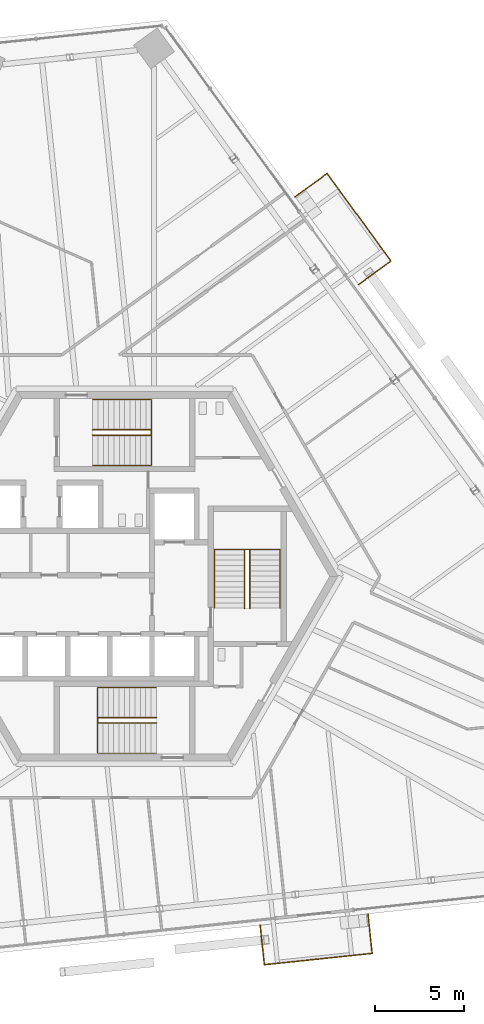
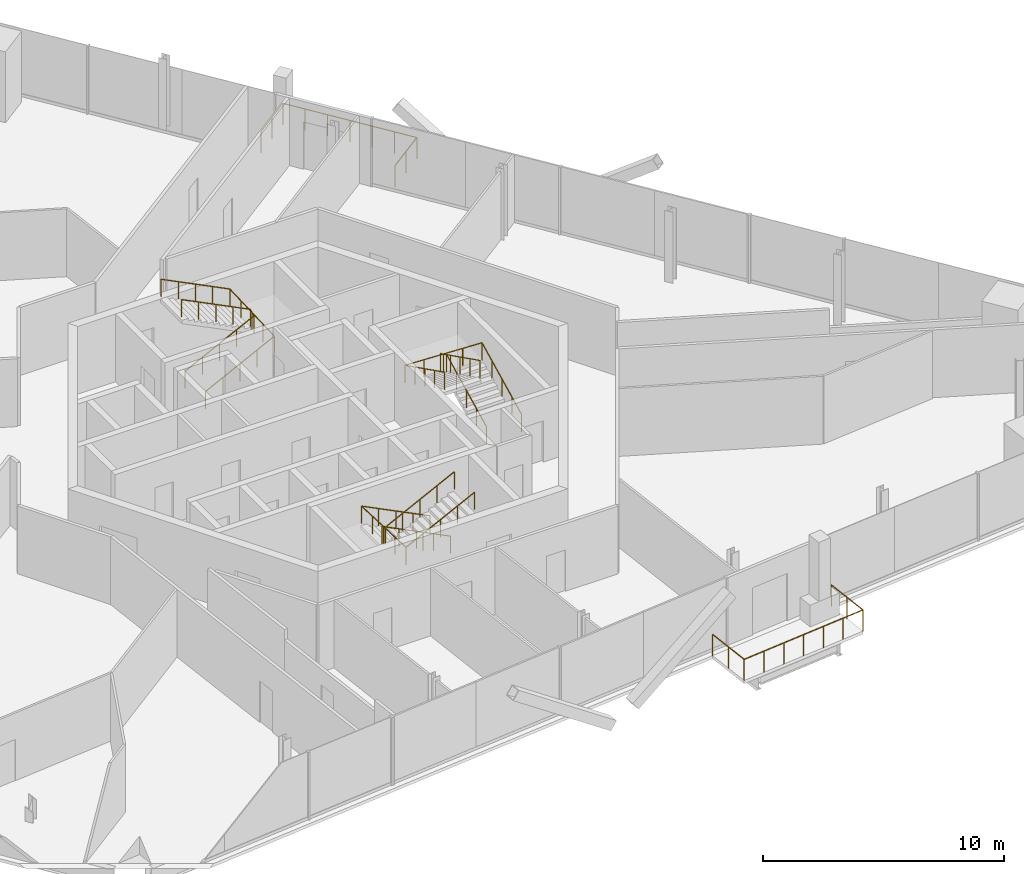
# One storey, part 15 of 18: 8 railings.
"""IFC4 building model written with IfcOpenShell, lengths in metres."""

from ifc_helpers import new_model, si_unit, direction, frame, origin, origin_2d, place, context, subcontext, project, spatial, circle, extrude, source, transform, mapped, material, type_object, element, save


model = new_model("IFC4")

# Units and contexts
model_context = context("Model", 3, precision=1e-05, world=origin(), true_north=direction((0.0, 1.0)))
body_context = subcontext(model_context, "Body", "Model", "MODEL_VIEW")
ifc_project = project(units=[si_unit("LENGTHUNIT", "METRE"), si_unit("AREAUNIT", "SQUARE_METRE"), si_unit("VOLUMEUNIT", "CUBIC_METRE"), si_unit("PLANEANGLEUNIT", "RADIAN"), si_unit("MASSUNIT", "GRAM", prefix="KILO")], contexts=[model_context])

# Site, building, storey
site_placement = place(None, origin())
site = spatial("IfcSite", under=ifc_project, at=site_placement, CompositionType="ELEMENT")
building_placement = place(site_placement, origin())
building = spatial("IfcBuilding", under=site, at=building_placement, Name="Triune Harvest Tower", CompositionType="ELEMENT")
storey_placement = place(building_placement, frame((0.0, 0.0, 237.699951171875)))
storey = spatial("IfcBuildingStorey", under=building, at=storey_placement, Name="L62", CompositionType="ELEMENT", Elevation=237.699951171875)

# Railings
ifc_material_1 = material(Name="Glass", Category="glass")
railing_type_1 = type_object("IfcRailingType", Name="GD-2 balcony guard 1100", PredefinedType="GUARDRAIL", material=ifc_material_1)
railing_1_placement = place(storey_placement, frame((7.625244140625, -19.61376953125, 0.0)))
element("IfcRailing", 1, at=railing_1_placement, inside=storey, type_object=railing_type_1, Name="Balcony guard B6-F5 L62.8", PredefinedType="GUARDRAIL", context=body_context, shape_type="SweptSolid", body=[
    extrude(circle(Radius=0.02392578125, at=origin_2d()), frame((0.0, 0.0, 1.076171875), z_axis=(0.104445921393, -0.994530567406, 0.0), x_axis=(0.994530567406, 0.104445921393, 0.0)), (0.0, 0.0, 1.0), 2.234619140625),
    extrude(circle(Radius=0.02392578125, at=origin_2d()), frame((0.2333984375, -2.222412109375, 1.076171875), z_axis=(0.994519918482, 0.104547270378, 0.0), x_axis=(-0.104547270378, 0.994519918482, 0.0)), (0.0, 0.0, 1.0), 6.099609375),
    extrude(circle(Radius=0.02392578125, at=origin_2d()), frame((6.299560546875, -1.584716796875, 1.076171875), z_axis=(-0.104457271244, 0.994529375375, 0.0), x_axis=(-0.994529375375, -0.104457271244, 0.0)), (0.0, 0.0, 1.0), 2.234375),
    extrude(circle(Radius=0.02099609375, at=origin_2d()), origin(), (0.0, 0.0, 1.0), 1.052001953125),
    extrude(circle(Radius=0.02099609375, at=origin_2d()), frame((0.11669921875, -1.111328125, 0.0)), (0.0, 0.0, 1.0), 1.052001953125),
    extrude(circle(Radius=0.02099609375, at=origin_2d()), frame((0.2333984375, -2.222412109375, 0.0)), (0.0, 0.0, 1.0), 1.052001953125),
    extrude(circle(Radius=0.02099609375, at=origin_2d()), frame((1.244384765625, -2.1162109375, 0.0)), (0.0, 0.0, 1.0), 1.052001953125),
    extrude(circle(Radius=0.02099609375, at=origin_2d()), frame((2.25537109375, -2.009765625, 0.0)), (0.0, 0.0, 1.0), 1.052001953125),
    extrude(circle(Radius=0.02099609375, at=origin_2d()), frame((3.2666015625, -1.903564453125, 0.0)), (0.0, 0.0, 1.0), 1.052001953125),
    extrude(circle(Radius=0.02099609375, at=origin_2d()), frame((4.277587890625, -1.79736328125, 0.0)), (0.0, 0.0, 1.0), 1.052001953125),
    extrude(circle(Radius=0.02099609375, at=origin_2d()), frame((5.28857421875, -1.69091796875, 0.0)), (0.0, 0.0, 1.0), 1.052001953125),
    extrude(circle(Radius=0.02099609375, at=origin_2d()), frame((6.299560546875, -1.584716796875, 0.0)), (0.0, 0.0, 1.0), 1.052001953125),
    extrude(circle(Radius=0.02099609375, at=origin_2d()), frame((6.182861328125, -0.4736328125, 0.0)), (0.0, 0.0, 1.0), 1.052001953125),
    extrude(circle(Radius=0.02099609375, at=origin_2d()), frame((6.066162109375, 0.637451171875, 0.0)), (0.0, 0.0, 1.0), 1.052001953125),
])
ifc_material_2 = material(Name="Stainless steel AISI 316", Category="steel")
railing_type_2 = type_object("IfcRailingType", Name="Stair handrail", PredefinedType="HANDRAIL", material=ifc_material_2)
shared_shape_1 = source(origin(), body_context, "Body", "SweptSolid", [
    extrude(circle(Radius=0.02392578125, at=origin_2d()), frame((0.0, 0.0, 0.8759765625), z_axis=(0.894440424912, 0.0, 0.447187126696), x_axis=(0.0, 1.0, 0.0)), (0.0, 0.0, 1.0), 3.689453125),
    extrude(circle(Radius=0.02392578125, at=origin_2d()), frame((3.300048828125, 0.0, 2.52587890625), z_axis=(0.0, 0.999180289278, 0.040481471304), x_axis=(-1.0, 0.0, 0.0)), (0.0, 0.0, 1.0), 3.702880859375),
    extrude(circle(Radius=0.02392578125, at=origin_2d()), frame((3.300048828125, 3.699951171875, 2.67578125), z_axis=(-0.894413956696, 0.0, 0.447240063129), x_axis=(0.0, -1.0, 0.0)), (0.0, 0.0, 1.0), 3.689697265625),
    extrude(circle(Radius=0.02099609375, at=origin_2d()), origin(), (0.0, 0.0, 1.0), 0.851806640625),
    extrude(circle(Radius=0.02099609375, at=origin_2d()), frame((0.824951171875, 0.0, 0.41259765625)), (0.0, 0.0, 1.0), 0.851806640625),
    extrude(circle(Radius=0.02099609375, at=origin_2d()), frame((1.64990234375, 0.0, 0.824951171875)), (0.0, 0.0, 1.0), 0.851806640625),
    extrude(circle(Radius=0.02099609375, at=origin_2d()), frame((2.47509765625, 0.0, 1.2373046875)), (0.0, 0.0, 1.0), 0.851806640625),
    extrude(circle(Radius=0.02099609375, at=origin_2d()), frame((3.300048828125, 0.0, 1.64990234375)), (0.0, 0.0, 1.0), 0.851806640625),
    extrude(circle(Radius=0.02099609375, at=origin_2d()), frame((3.300048828125, 0.925048828125, 1.6875)), (0.0, 0.0, 1.0), 0.851806640625),
    extrude(circle(Radius=0.02099609375, at=origin_2d()), frame((3.300048828125, 1.85009765625, 1.724853515625)), (0.0, 0.0, 1.0), 0.851806640625),
    extrude(circle(Radius=0.02099609375, at=origin_2d()), frame((3.300048828125, 2.77490234375, 1.76220703125)), (0.0, 0.0, 1.0), 0.851806640625),
    extrude(circle(Radius=0.02099609375, at=origin_2d()), frame((3.300048828125, 3.699951171875, 1.7998046875)), (0.0, 0.0, 1.0), 0.851806640625),
    extrude(circle(Radius=0.02099609375, at=origin_2d()), frame((2.47509765625, 3.699951171875, 2.21240234375)), (0.0, 0.0, 1.0), 0.851806640625),
    extrude(circle(Radius=0.02099609375, at=origin_2d()), frame((1.64990234375, 3.699951171875, 2.625)), (0.0, 0.0, 1.0), 0.851806640625),
    extrude(circle(Radius=0.02099609375, at=origin_2d()), frame((0.824951171875, 3.699951171875, 3.037353515625)), (0.0, 0.0, 1.0), 0.851806640625),
    extrude(circle(Radius=0.02099609375, at=origin_2d()), frame((0.0, 3.699951171875, 3.449951171875)), (0.0, 0.0, 1.0), 0.851806640625),
])
railing_2_placement = place(storey_placement, frame((-1.7900390625, 6.239990234375, 0.150146484375)))
element("IfcRailing", 2, at=railing_2_placement, inside=storey, type_object=railing_type_2, Name="Exit stair north wall handrail", PredefinedType="HANDRAIL", context=body_context, shape_type="MappedRepresentation", body=[
    mapped(shared_shape_1, transform((0.0, 0.0, 0.0), scale=1.0)),
])
shared_shape_2 = source(origin(), body_context, "Body", "SweptSolid", [
    extrude(circle(Radius=0.02392578125, at=origin_2d()), frame((0.0, 0.0, 0.8759765625), z_axis=(0.894440424912, 0.0, 0.447187126696), x_axis=(0.0, 1.0, 0.0)), (0.0, 0.0, 1.0), 3.689453125),
    extrude(circle(Radius=0.02392578125, at=origin_2d()), frame((3.300048828125, 0.0, 2.52587890625), z_axis=(0.0, 0.894572720946, 0.446922417137), x_axis=(-1.0, 0.0, 0.0)), (0.0, 0.0, 1.0), 0.33544921875),
    extrude(circle(Radius=0.02392578125, at=origin_2d()), frame((3.300048828125, 0.300048828125, 2.67578125), z_axis=(-0.894413956696, 0.0, 0.447240063129), x_axis=(0.0, -1.0, 0.0)), (0.0, 0.0, 1.0), 3.689697265625),
    extrude(circle(Radius=0.02099609375, at=origin_2d()), origin(), (0.0, 0.0, 1.0), 0.851806640625),
    extrude(circle(Radius=0.02099609375, at=origin_2d()), frame((0.824951171875, 0.0, 0.41259765625)), (0.0, 0.0, 1.0), 0.851806640625),
    extrude(circle(Radius=0.02099609375, at=origin_2d()), frame((1.64990234375, 0.0, 0.824951171875)), (0.0, 0.0, 1.0), 0.851806640625),
    extrude(circle(Radius=0.02099609375, at=origin_2d()), frame((2.47509765625, 0.0, 1.2373046875)), (0.0, 0.0, 1.0), 0.851806640625),
    extrude(circle(Radius=0.02099609375, at=origin_2d()), frame((3.300048828125, 0.0, 1.64990234375)), (0.0, 0.0, 1.0), 0.851806640625),
    extrude(circle(Radius=0.02099609375, at=origin_2d()), frame((3.300048828125, 0.300048828125, 1.7998046875)), (0.0, 0.0, 1.0), 0.851806640625),
    extrude(circle(Radius=0.02099609375, at=origin_2d()), frame((2.47509765625, 0.300048828125, 2.21240234375)), (0.0, 0.0, 1.0), 0.851806640625),
    extrude(circle(Radius=0.02099609375, at=origin_2d()), frame((1.64990234375, 0.300048828125, 2.625)), (0.0, 0.0, 1.0), 0.851806640625),
    extrude(circle(Radius=0.02099609375, at=origin_2d()), frame((0.824951171875, 0.300048828125, 3.037353515625)), (0.0, 0.0, 1.0), 0.851806640625),
    extrude(circle(Radius=0.02099609375, at=origin_2d()), frame((0.0, 0.300048828125, 3.449951171875)), (0.0, 0.0, 1.0), 0.851806640625),
])
railing_3_placement = place(storey_placement, frame((-1.7900390625, 7.93994140625, 0.150146484375)))
element("IfcRailing", 3, at=railing_3_placement, inside=storey, type_object=railing_type_2, Name="Exit stair north centre handrail", PredefinedType="HANDRAIL", context=body_context, shape_type="MappedRepresentation", body=[
    mapped(shared_shape_2, transform((0.0, 0.0, 0.0), scale=1.0)),
])
shared_shape_3 = source(origin(), body_context, "Body", "SweptSolid", [
    extrude(circle(Radius=0.02392578125, at=origin_2d()), frame((0.0, 0.0, 0.8759765625), z_axis=(-0.894440424912, 0.0, 0.447187126696), x_axis=(0.0, -1.0, 0.0)), (0.0, 0.0, 1.0), 3.689453125),
    extrude(circle(Radius=0.02392578125, at=origin_2d()), frame((-3.300048828125, 0.0, 2.52587890625), z_axis=(0.0, -0.999180289278, 0.040481471304), x_axis=(1.0, 0.0, 0.0)), (0.0, 0.0, 1.0), 3.702880859375),
    extrude(circle(Radius=0.02392578125, at=origin_2d()), frame((-3.300048828125, -3.699951171875, 2.67578125), z_axis=(0.894413956696, 0.0, 0.447240063129), x_axis=(0.0, 1.0, 0.0)), (0.0, 0.0, 1.0), 3.689697265625),
    extrude(circle(Radius=0.02099609375, at=origin_2d()), origin(), (0.0, 0.0, 1.0), 0.851806640625),
    extrude(circle(Radius=0.02099609375, at=origin_2d()), frame((-0.824951171875, 0.0, 0.41259765625)), (0.0, 0.0, 1.0), 0.851806640625),
    extrude(circle(Radius=0.02099609375, at=origin_2d()), frame((-1.64990234375, 0.0, 0.824951171875)), (0.0, 0.0, 1.0), 0.851806640625),
    extrude(circle(Radius=0.02099609375, at=origin_2d()), frame((-2.47509765625, 0.0, 1.2373046875)), (0.0, 0.0, 1.0), 0.851806640625),
    extrude(circle(Radius=0.02099609375, at=origin_2d()), frame((-3.300048828125, 0.0, 1.64990234375)), (0.0, 0.0, 1.0), 0.851806640625),
    extrude(circle(Radius=0.02099609375, at=origin_2d()), frame((-3.300048828125, -0.925048828125, 1.6875)), (0.0, 0.0, 1.0), 0.851806640625),
    extrude(circle(Radius=0.02099609375, at=origin_2d()), frame((-3.300048828125, -1.85009765625, 1.724853515625)), (0.0, 0.0, 1.0), 0.851806640625),
    extrude(circle(Radius=0.02099609375, at=origin_2d()), frame((-3.300048828125, -2.77490234375, 1.76220703125)), (0.0, 0.0, 1.0), 0.851806640625),
    extrude(circle(Radius=0.02099609375, at=origin_2d()), frame((-3.300048828125, -3.699951171875, 1.7998046875)), (0.0, 0.0, 1.0), 0.851806640625),
    extrude(circle(Radius=0.02099609375, at=origin_2d()), frame((-2.47509765625, -3.699951171875, 2.21240234375)), (0.0, 0.0, 1.0), 0.851806640625),
    extrude(circle(Radius=0.02099609375, at=origin_2d()), frame((-1.64990234375, -3.699951171875, 2.625)), (0.0, 0.0, 1.0), 0.851806640625),
    extrude(circle(Radius=0.02099609375, at=origin_2d()), frame((-0.824951171875, -3.699951171875, 3.037353515625)), (0.0, 0.0, 1.0), 0.851806640625),
    extrude(circle(Radius=0.02099609375, at=origin_2d()), frame((0.0, -3.699951171875, 3.449951171875)), (0.0, 0.0, 1.0), 0.851806640625),
])
railing_4_placement = place(storey_placement, frame((1.7900390625, -6.239990234375, 0.150146484375)))
element("IfcRailing", 4, at=railing_4_placement, inside=storey, type_object=railing_type_2, Name="Exit stair south wall handrail", PredefinedType="HANDRAIL", context=body_context, shape_type="MappedRepresentation", body=[
    mapped(shared_shape_3, transform((0.0, 0.0, 0.0), scale=1.0)),
])
shared_shape_4 = source(origin(), body_context, "Body", "SweptSolid", [
    extrude(circle(Radius=0.02392578125, at=origin_2d()), frame((0.0, 0.0, 0.8759765625), z_axis=(-0.894440424912, 0.0, 0.447187126696), x_axis=(0.0, -1.0, 0.0)), (0.0, 0.0, 1.0), 3.689453125),
    extrude(circle(Radius=0.02392578125, at=origin_2d()), frame((-3.300048828125, 0.0, 2.52587890625), z_axis=(0.0, -0.894572720946, 0.446922417137), x_axis=(1.0, 0.0, 0.0)), (0.0, 0.0, 1.0), 0.33544921875),
    extrude(circle(Radius=0.02392578125, at=origin_2d()), frame((-3.300048828125, -0.300048828125, 2.67578125), z_axis=(0.894413956696, 0.0, 0.447240063129), x_axis=(0.0, 1.0, 0.0)), (0.0, 0.0, 1.0), 3.689697265625),
    extrude(circle(Radius=0.02099609375, at=origin_2d()), origin(), (0.0, 0.0, 1.0), 0.851806640625),
    extrude(circle(Radius=0.02099609375, at=origin_2d()), frame((-0.824951171875, 0.0, 0.41259765625)), (0.0, 0.0, 1.0), 0.851806640625),
    extrude(circle(Radius=0.02099609375, at=origin_2d()), frame((-1.64990234375, 0.0, 0.824951171875)), (0.0, 0.0, 1.0), 0.851806640625),
    extrude(circle(Radius=0.02099609375, at=origin_2d()), frame((-2.47509765625, 0.0, 1.2373046875)), (0.0, 0.0, 1.0), 0.851806640625),
    extrude(circle(Radius=0.02099609375, at=origin_2d()), frame((-3.300048828125, 0.0, 1.64990234375)), (0.0, 0.0, 1.0), 0.851806640625),
    extrude(circle(Radius=0.02099609375, at=origin_2d()), frame((-3.300048828125, -0.300048828125, 1.7998046875)), (0.0, 0.0, 1.0), 0.851806640625),
    extrude(circle(Radius=0.02099609375, at=origin_2d()), frame((-2.47509765625, -0.300048828125, 2.21240234375)), (0.0, 0.0, 1.0), 0.851806640625),
    extrude(circle(Radius=0.02099609375, at=origin_2d()), frame((-1.64990234375, -0.300048828125, 2.625)), (0.0, 0.0, 1.0), 0.851806640625),
    extrude(circle(Radius=0.02099609375, at=origin_2d()), frame((-0.824951171875, -0.300048828125, 3.037353515625)), (0.0, 0.0, 1.0), 0.851806640625),
    extrude(circle(Radius=0.02099609375, at=origin_2d()), frame((0.0, -0.300048828125, 3.449951171875)), (0.0, 0.0, 1.0), 0.851806640625),
])
railing_5_placement = place(storey_placement, frame((1.7900390625, -7.93994140625, 0.150146484375)))
element("IfcRailing", 5, at=railing_5_placement, inside=storey, type_object=railing_type_2, Name="Exit stair south centre handrail", PredefinedType="HANDRAIL", context=body_context, shape_type="MappedRepresentation", body=[
    mapped(shared_shape_4, transform((0.0, 0.0, 0.0), scale=1.0)),
])
shared_shape_5 = source(origin(), body_context, "Body", "SweptSolid", [
    extrude(circle(Radius=0.02392578125, at=origin_2d()), frame((0.0, 0.0, 0.8759765625), z_axis=(0.0, 0.894440424912, 0.447187126696), x_axis=(-1.0, 0.0, 0.0)), (0.0, 0.0, 1.0), 3.689453125),
    extrude(circle(Radius=0.02392578125, at=origin_2d()), frame((0.0, 3.300048828125, 2.52587890625), z_axis=(-0.999180289278, 0.0, 0.040481471304), x_axis=(0.0, -1.0, 0.0)), (0.0, 0.0, 1.0), 3.702880859375),
    extrude(circle(Radius=0.02392578125, at=origin_2d()), frame((-3.699951171875, 3.300048828125, 2.67578125), z_axis=(0.0, -0.894413956696, 0.447240063129), x_axis=(1.0, 0.0, 0.0)), (0.0, 0.0, 1.0), 3.689697265625),
    extrude(circle(Radius=0.02099609375, at=origin_2d()), origin(), (0.0, 0.0, 1.0), 0.851806640625),
    extrude(circle(Radius=0.02099609375, at=origin_2d()), frame((0.0, 0.824951171875, 0.41259765625)), (0.0, 0.0, 1.0), 0.851806640625),
    extrude(circle(Radius=0.02099609375, at=origin_2d()), frame((0.0, 1.64990234375, 0.824951171875)), (0.0, 0.0, 1.0), 0.851806640625),
    extrude(circle(Radius=0.02099609375, at=origin_2d()), frame((0.0, 2.47509765625, 1.2373046875)), (0.0, 0.0, 1.0), 0.851806640625),
    extrude(circle(Radius=0.02099609375, at=origin_2d()), frame((0.0, 3.300048828125, 1.64990234375)), (0.0, 0.0, 1.0), 0.851806640625),
    extrude(circle(Radius=0.02099609375, at=origin_2d()), frame((-0.925048828125, 3.300048828125, 1.6875)), (0.0, 0.0, 1.0), 0.851806640625),
    extrude(circle(Radius=0.02099609375, at=origin_2d()), frame((-1.85009765625, 3.300048828125, 1.724853515625)), (0.0, 0.0, 1.0), 0.851806640625),
    extrude(circle(Radius=0.02099609375, at=origin_2d()), frame((-2.77490234375, 3.300048828125, 1.76220703125)), (0.0, 0.0, 1.0), 0.851806640625),
    extrude(circle(Radius=0.02099609375, at=origin_2d()), frame((-3.699951171875, 3.300048828125, 1.7998046875)), (0.0, 0.0, 1.0), 0.851806640625),
    extrude(circle(Radius=0.02099609375, at=origin_2d()), frame((-3.699951171875, 2.47509765625, 2.21240234375)), (0.0, 0.0, 1.0), 0.851806640625),
    extrude(circle(Radius=0.02099609375, at=origin_2d()), frame((-3.699951171875, 1.64990234375, 2.625)), (0.0, 0.0, 1.0), 0.851806640625),
    extrude(circle(Radius=0.02099609375, at=origin_2d()), frame((-3.699951171875, 0.824951171875, 3.037353515625)), (0.0, 0.0, 1.0), 0.851806640625),
    extrude(circle(Radius=0.02099609375, at=origin_2d()), frame((-3.699951171875, 0.0, 3.449951171875)), (0.0, 0.0, 1.0), 0.851806640625),
])
railing_6_placement = place(storey_placement, frame((8.75, -1.7900390625, 0.150146484375)))
element("IfcRailing", 6, at=railing_6_placement, inside=storey, type_object=railing_type_2, Name="Exit stair east wall handrail", PredefinedType="HANDRAIL", context=body_context, shape_type="MappedRepresentation", body=[
    mapped(shared_shape_5, transform((0.0, 0.0, 0.0), scale=1.0)),
])
shared_shape_6 = source(origin(), body_context, "Body", "SweptSolid", [
    extrude(circle(Radius=0.02392578125, at=origin_2d()), frame((0.0, 0.0, 0.8759765625), z_axis=(0.0, 0.894440424912, 0.447187126696), x_axis=(-1.0, 0.0, 0.0)), (0.0, 0.0, 1.0), 3.689453125),
    extrude(circle(Radius=0.02392578125, at=origin_2d()), frame((0.0, 3.300048828125, 2.52587890625), z_axis=(-0.894572720946, 0.0, 0.446922417137), x_axis=(0.0, -1.0, 0.0)), (0.0, 0.0, 1.0), 0.33544921875),
    extrude(circle(Radius=0.02392578125, at=origin_2d()), frame((-0.300048828125, 3.300048828125, 2.67578125), z_axis=(0.0, -0.894413956696, 0.447240063129), x_axis=(1.0, 0.0, 0.0)), (0.0, 0.0, 1.0), 3.689697265625),
    extrude(circle(Radius=0.02099609375, at=origin_2d()), origin(), (0.0, 0.0, 1.0), 0.851806640625),
    extrude(circle(Radius=0.02099609375, at=origin_2d()), frame((0.0, 0.824951171875, 0.41259765625)), (0.0, 0.0, 1.0), 0.851806640625),
    extrude(circle(Radius=0.02099609375, at=origin_2d()), frame((0.0, 1.64990234375, 0.824951171875)), (0.0, 0.0, 1.0), 0.851806640625),
    extrude(circle(Radius=0.02099609375, at=origin_2d()), frame((0.0, 2.47509765625, 1.2373046875)), (0.0, 0.0, 1.0), 0.851806640625),
    extrude(circle(Radius=0.02099609375, at=origin_2d()), frame((0.0, 3.300048828125, 1.64990234375)), (0.0, 0.0, 1.0), 0.851806640625),
    extrude(circle(Radius=0.02099609375, at=origin_2d()), frame((-0.300048828125, 3.300048828125, 1.7998046875)), (0.0, 0.0, 1.0), 0.851806640625),
    extrude(circle(Radius=0.02099609375, at=origin_2d()), frame((-0.300048828125, 2.47509765625, 2.21240234375)), (0.0, 0.0, 1.0), 0.851806640625),
    extrude(circle(Radius=0.02099609375, at=origin_2d()), frame((-0.300048828125, 1.64990234375, 2.625)), (0.0, 0.0, 1.0), 0.851806640625),
    extrude(circle(Radius=0.02099609375, at=origin_2d()), frame((-0.300048828125, 0.824951171875, 3.037353515625)), (0.0, 0.0, 1.0), 0.851806640625),
    extrude(circle(Radius=0.02099609375, at=origin_2d()), frame((-0.300048828125, 0.0, 3.449951171875)), (0.0, 0.0, 1.0), 0.851806640625),
])
railing_7_placement = place(storey_placement, frame((7.050048828125, -1.7900390625, 0.150146484375)))
element("IfcRailing", 7, at=railing_7_placement, inside=storey, type_object=railing_type_2, Name="Exit stair east centre handrail", PredefinedType="HANDRAIL", context=body_context, shape_type="MappedRepresentation", body=[
    mapped(shared_shape_6, transform((0.0, 0.0, 0.0), scale=1.0)),
])
shared_shape_7 = source(origin(), body_context, "Body", "SweptSolid", [
    extrude(circle(Radius=0.02392578125, at=origin_2d()), frame((0.0, 0.0, 1.076171875), z_axis=(0.808981707372, 0.58783381762, 0.0), x_axis=(-0.58783381762, 0.808981707372, 0.0)), (0.0, 0.0, 1.0), 2.234375),
    extrude(circle(Radius=0.02392578125, at=origin_2d()), frame((1.8076171875, 1.3134765625, 1.076171875), z_axis=(-0.587788459508, 0.809014664187, 0.0), x_axis=(-0.809014664187, -0.587788459508, 0.0)), (0.0, 0.0, 1.0), 6.099365234375),
    extrude(circle(Radius=0.02392578125, at=origin_2d()), frame((-1.777587890625, 6.248046875, 1.076171875), z_axis=(-0.808981707372, -0.58783381762, 0.0), x_axis=(0.58783381762, -0.808981707372, 0.0)), (0.0, 0.0, 1.0), 2.234375),
    extrude(circle(Radius=0.02099609375, at=origin_2d()), origin(), (0.0, 0.0, 1.0), 1.052001953125),
    extrude(circle(Radius=0.02099609375, at=origin_2d()), frame((0.90380859375, 0.65673828125, 0.0)), (0.0, 0.0, 1.0), 1.052001953125),
    extrude(circle(Radius=0.02099609375, at=origin_2d()), frame((1.8076171875, 1.3134765625, 0.0)), (0.0, 0.0, 1.0), 1.052001953125),
    extrude(circle(Radius=0.02099609375, at=origin_2d()), frame((1.2099609375, 2.135986328125, 0.0)), (0.0, 0.0, 1.0), 1.052001953125),
    extrude(circle(Radius=0.02099609375, at=origin_2d()), frame((0.612548828125, 2.958251953125, 0.0)), (0.0, 0.0, 1.0), 1.052001953125),
    extrude(circle(Radius=0.02099609375, at=origin_2d()), frame((0.01513671875, 3.78076171875, 0.0)), (0.0, 0.0, 1.0), 1.052001953125),
    extrude(circle(Radius=0.02099609375, at=origin_2d()), frame((-0.58251953125, 4.603271484375, 0.0)), (0.0, 0.0, 1.0), 1.052001953125),
    extrude(circle(Radius=0.02099609375, at=origin_2d()), frame((-1.18017578125, 5.425537109375, 0.0)), (0.0, 0.0, 1.0), 1.052001953125),
    extrude(circle(Radius=0.02099609375, at=origin_2d()), frame((-1.777587890625, 6.248046875, 0.0)), (0.0, 0.0, 1.0), 1.052001953125),
    extrude(circle(Radius=0.02099609375, at=origin_2d()), frame((-2.681396484375, 5.59130859375, 0.0)), (0.0, 0.0, 1.0), 1.052001953125),
    extrude(circle(Radius=0.02099609375, at=origin_2d()), frame((-3.585205078125, 4.9345703125, 0.0)), (0.0, 0.0, 1.0), 1.052001953125),
])
railing_8_placement = place(storey_placement, frame((13.173583984375, 16.41064453125, 0.0)))
element("IfcRailing", 8, at=railing_8_placement, inside=storey, type_object=railing_type_1, Name="Balcony guard B6-F1 L62.8", PredefinedType="GUARDRAIL", context=body_context, shape_type="MappedRepresentation", body=[
    mapped(shared_shape_7, transform((0.0, 0.0, 0.0), scale=1.0)),
])

save(model, "model.ifc")
